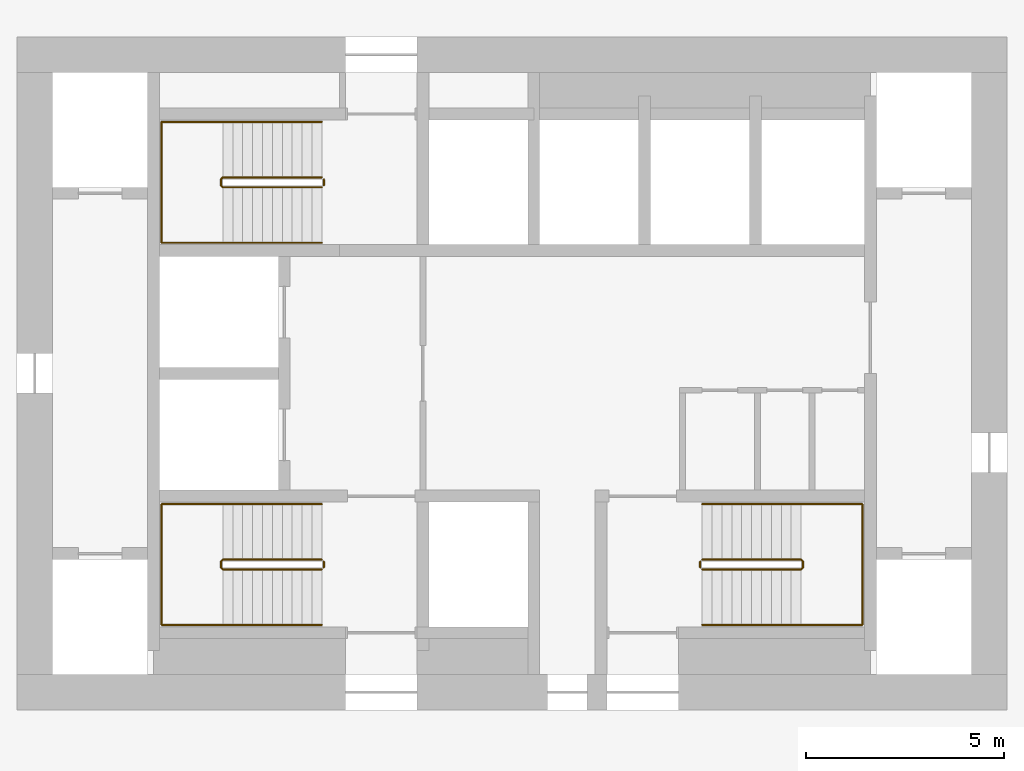
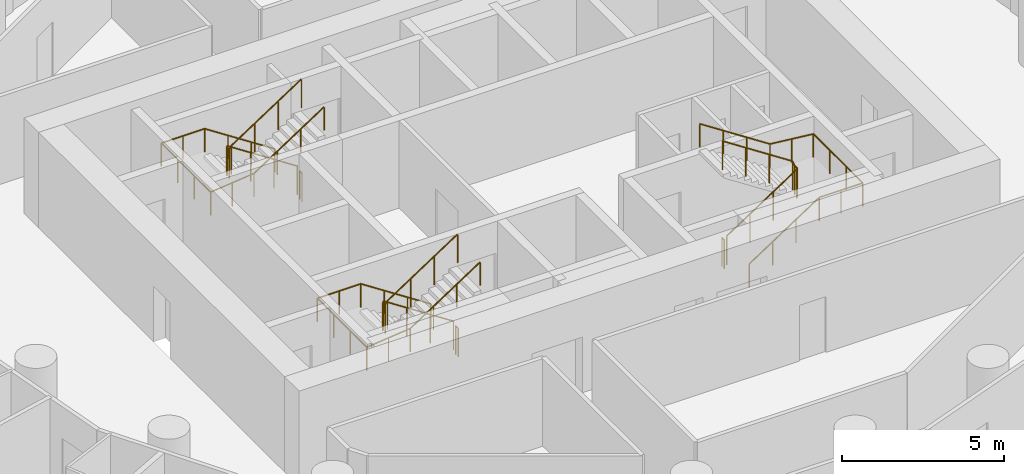
# One storey, part 9 of 9: 9 railings.
"""IFC4 building model written with IfcOpenShell, lengths in metres."""

from ifc_helpers import new_model, si_unit, direction, frame, origin, origin_2d, place, context, subcontext, project, spatial, circle, extrude, material, type_object, element, save


model = new_model("IFC4")

# Units and contexts
model_context = context("Model", 3, precision=1e-05, world=origin(), true_north=direction((0.0, 1.0)))
body_context = subcontext(model_context, "Body", "Model", "MODEL_VIEW")
ifc_project = project(units=[si_unit("LENGTHUNIT", "METRE"), si_unit("AREAUNIT", "SQUARE_METRE"), si_unit("VOLUMEUNIT", "CUBIC_METRE"), si_unit("PLANEANGLEUNIT", "RADIAN"), si_unit("MASSUNIT", "GRAM", prefix="KILO")], contexts=[model_context])

# Site, building, storey
site_placement = place(None, origin())
site = spatial("IfcSite", under=ifc_project, at=site_placement, CompositionType="ELEMENT")
building_placement = place(site_placement, origin())
building = spatial("IfcBuilding", under=site, at=building_placement, Name="Tracery Tower", CompositionType="ELEMENT")
storey_placement = place(building_placement, frame((0.0, 0.0, 190.800048828125)))
storey = spatial("IfcBuildingStorey", under=building, at=storey_placement, Name="L49", CompositionType="ELEMENT", Elevation=190.800048828125)

# Railings
ifc_material_1 = material(Name="Stainless steel and laminated glass", Category="steel")
railing_type_1 = type_object("IfcRailingType", Name="Stair guard 1100", PredefinedType="GUARDRAIL", material=ifc_material_1)
railing_1_placement = place(storey_placement, frame((-4.800048828125, -4.699951171875, 0.16357421875)))
element("IfcRailing", 1, at=railing_1_placement, inside=storey, type_object=railing_type_1, Name="L49 stair ST1 guard 1", PredefinedType="GUARDRAIL", context=body_context, shape_type="SweptSolid", body=[
    extrude(circle(Radius=0.02392578125, at=origin_2d()), frame((0.0, 0.0, 1.076171875), z_axis=(-0.83668449804, 0.0, 0.54768517484), x_axis=(0.0, -1.0, 0.0)), (0.0, 0.0, 1.0), 2.988037109375),
    extrude(circle(Radius=0.02392578125, at=origin_2d()), frame((-2.5, 0.0, 2.71240234375), z_axis=(-0.707106781187, -0.707106781187, 0.0), x_axis=(0.707106781187, -0.707106781187, 0.0)), (0.0, 0.0, 1.0), 0.07080078125),
    extrude(circle(Radius=0.02392578125, at=origin_2d()), frame((-2.550048828125, -0.050048828125, 2.71240234375), z_axis=(0.0, -1.0, 0.0), x_axis=(1.0, 0.0, 0.0)), (0.0, 0.0, 1.0), 0.14990234375),
    extrude(circle(Radius=0.02392578125, at=origin_2d()), frame((-2.550048828125, -0.199951171875, 2.71240234375), z_axis=(0.280808744504, -0.280808744504, 0.917765164963), x_axis=(0.707106781187, 0.707106781187, 0.0)), (0.0, 0.0, 1.0), 0.17822265625),
    extrude(circle(Radius=0.02392578125, at=origin_2d()), frame((-2.5, -0.25, 2.8759765625), z_axis=(0.836721939367, 0.0, 0.547627972425), x_axis=(0.0, 1.0, 0.0)), (0.0, 0.0, 1.0), 2.98779296875),
    extrude(circle(Radius=0.02099609375, at=origin_2d()), origin(), (0.0, 0.0, 1.0), 1.052001953125),
    extrude(circle(Radius=0.02099609375, at=origin_2d()), frame((-0.833251953125, 0.0, 0.54541015625)), (0.0, 0.0, 1.0), 1.052001953125),
    extrude(circle(Radius=0.02099609375, at=origin_2d()), frame((-1.666748046875, 0.0, 1.091064453125)), (0.0, 0.0, 1.0), 1.052001953125),
    extrude(circle(Radius=0.02099609375, at=origin_2d()), frame((-2.5, 0.0, 1.636474609375)), (0.0, 0.0, 1.0), 1.052001953125),
    extrude(circle(Radius=0.02099609375, at=origin_2d()), frame((-2.550048828125, -0.050048828125, 1.636474609375)), (0.0, 0.0, 1.0), 1.052001953125),
    extrude(circle(Radius=0.02099609375, at=origin_2d()), frame((-2.550048828125, -0.199951171875, 1.636474609375)), (0.0, 0.0, 1.0), 1.052001953125),
    extrude(circle(Radius=0.02099609375, at=origin_2d()), frame((-2.5, -0.25, 1.800048828125)), (0.0, 0.0, 1.0), 1.052001953125),
    extrude(circle(Radius=0.02099609375, at=origin_2d()), frame((-1.666748046875, -0.25, 2.345458984375)), (0.0, 0.0, 1.0), 1.052001953125),
    extrude(circle(Radius=0.02099609375, at=origin_2d()), frame((-0.833251953125, -0.25, 2.890869140625)), (0.0, 0.0, 1.0), 1.052001953125),
    extrude(circle(Radius=0.02099609375, at=origin_2d()), frame((0.0, -0.25, 3.436279296875)), (0.0, 0.0, 1.0), 1.052001953125),
])
railing_2_placement = place(storey_placement, frame((-4.75, -4.75, 0.0)))
element("IfcRailing", 2, at=railing_2_placement, inside=storey, type_object=railing_type_1, Name="L49 stair ST1 guard 2", PredefinedType="GUARDRAIL", context=body_context, shape_type="SweptSolid", body=[
    extrude(circle(Radius=0.02392578125, at=origin_2d()), frame((0.0, 0.0, 1.076171875), z_axis=(0.0, -1.0, 0.0), x_axis=(1.0, 0.0, 0.0)), (0.0, 0.0, 1.0), 0.14990234375),
    extrude(circle(Radius=0.02099609375, at=origin_2d()), origin(), (0.0, 0.0, 1.0), 1.052001953125),
    extrude(circle(Radius=0.02099609375, at=origin_2d()), frame((0.0, -0.14990234375, 0.0)), (0.0, 0.0, 1.0), 1.052001953125),
])
railing_3_placement = place(storey_placement, frame((-4.800048828125, 4.949951171875, 0.16357421875)))
element("IfcRailing", 3, at=railing_3_placement, inside=storey, type_object=railing_type_1, Name="L49 stair ST3 guard 1", PredefinedType="GUARDRAIL", context=body_context, shape_type="SweptSolid", body=[
    extrude(circle(Radius=0.02392578125, at=origin_2d()), frame((0.0, 0.0, 1.076171875), z_axis=(-0.83668449804, 0.0, 0.54768517484), x_axis=(0.0, -1.0, 0.0)), (0.0, 0.0, 1.0), 2.988037109375),
    extrude(circle(Radius=0.02392578125, at=origin_2d()), frame((-2.5, 0.0, 2.71240234375), z_axis=(-0.707106781187, -0.707106781187, 0.0), x_axis=(0.707106781187, -0.707106781187, 0.0)), (0.0, 0.0, 1.0), 0.07080078125),
    extrude(circle(Radius=0.02392578125, at=origin_2d()), frame((-2.550048828125, -0.050048828125, 2.71240234375), z_axis=(0.0, -1.0, 0.0), x_axis=(1.0, 0.0, 0.0)), (0.0, 0.0, 1.0), 0.14990234375),
    extrude(circle(Radius=0.02392578125, at=origin_2d()), frame((-2.550048828125, -0.199951171875, 2.71240234375), z_axis=(0.280808744504, -0.280808744504, 0.917765164963), x_axis=(0.707106781187, 0.707106781187, 0.0)), (0.0, 0.0, 1.0), 0.17822265625),
    extrude(circle(Radius=0.02392578125, at=origin_2d()), frame((-2.5, -0.25, 2.8759765625), z_axis=(0.836721939367, 0.0, 0.547627972425), x_axis=(0.0, 1.0, 0.0)), (0.0, 0.0, 1.0), 2.98779296875),
    extrude(circle(Radius=0.02099609375, at=origin_2d()), origin(), (0.0, 0.0, 1.0), 1.052001953125),
    extrude(circle(Radius=0.02099609375, at=origin_2d()), frame((-0.833251953125, 0.0, 0.54541015625)), (0.0, 0.0, 1.0), 1.052001953125),
    extrude(circle(Radius=0.02099609375, at=origin_2d()), frame((-1.666748046875, 0.0, 1.091064453125)), (0.0, 0.0, 1.0), 1.052001953125),
    extrude(circle(Radius=0.02099609375, at=origin_2d()), frame((-2.5, 0.0, 1.636474609375)), (0.0, 0.0, 1.0), 1.052001953125),
    extrude(circle(Radius=0.02099609375, at=origin_2d()), frame((-2.550048828125, -0.050048828125, 1.636474609375)), (0.0, 0.0, 1.0), 1.052001953125),
    extrude(circle(Radius=0.02099609375, at=origin_2d()), frame((-2.550048828125, -0.199951171875, 1.636474609375)), (0.0, 0.0, 1.0), 1.052001953125),
    extrude(circle(Radius=0.02099609375, at=origin_2d()), frame((-2.5, -0.25, 1.800048828125)), (0.0, 0.0, 1.0), 1.052001953125),
    extrude(circle(Radius=0.02099609375, at=origin_2d()), frame((-1.666748046875, -0.25, 2.345458984375)), (0.0, 0.0, 1.0), 1.052001953125),
    extrude(circle(Radius=0.02099609375, at=origin_2d()), frame((-0.833251953125, -0.25, 2.890869140625)), (0.0, 0.0, 1.0), 1.052001953125),
    extrude(circle(Radius=0.02099609375, at=origin_2d()), frame((0.0, -0.25, 3.436279296875)), (0.0, 0.0, 1.0), 1.052001953125),
])
railing_4_placement = place(storey_placement, frame((-4.75, 4.89990234375, 0.0)))
element("IfcRailing", 4, at=railing_4_placement, inside=storey, type_object=railing_type_1, Name="L49 stair ST3 guard 2", PredefinedType="GUARDRAIL", context=body_context, shape_type="SweptSolid", body=[
    extrude(circle(Radius=0.02392578125, at=origin_2d()), frame((0.0, 0.0, 1.076171875), z_axis=(0.0, -1.0, 0.0), x_axis=(1.0, 0.0, 0.0)), (0.0, 0.0, 1.0), 0.14990234375),
    extrude(circle(Radius=0.02099609375, at=origin_2d()), origin(), (0.0, 0.0, 1.0), 1.052001953125),
    extrude(circle(Radius=0.02099609375, at=origin_2d()), frame((0.0, -0.14990234375, 0.0)), (0.0, 0.0, 1.0), 1.052001953125),
])
railing_5_placement = place(storey_placement, frame((4.800048828125, -4.949951171875, 0.16357421875)))
element("IfcRailing", 5, at=railing_5_placement, inside=storey, type_object=railing_type_1, Name="L49 stair ST2 guard 1", PredefinedType="GUARDRAIL", context=body_context, shape_type="SweptSolid", body=[
    extrude(circle(Radius=0.02392578125, at=origin_2d()), frame((0.0, 0.0, 1.076171875), z_axis=(0.83668449804, 0.0, 0.54768517484), x_axis=(0.0, 1.0, 0.0)), (0.0, 0.0, 1.0), 2.988037109375),
    extrude(circle(Radius=0.02392578125, at=origin_2d()), frame((2.5, 0.0, 2.71240234375), z_axis=(0.707106781187, 0.707106781187, 0.0), x_axis=(-0.707106781187, 0.707106781187, 0.0)), (0.0, 0.0, 1.0), 0.07080078125),
    extrude(circle(Radius=0.02392578125, at=origin_2d()), frame((2.550048828125, 0.050048828125, 2.71240234375), z_axis=(0.0, 1.0, 0.0), x_axis=(-1.0, 0.0, 0.0)), (0.0, 0.0, 1.0), 0.14990234375),
    extrude(circle(Radius=0.02392578125, at=origin_2d()), frame((2.550048828125, 0.199951171875, 2.71240234375), z_axis=(-0.280808744504, 0.280808744504, 0.917765164963), x_axis=(-0.707106781187, -0.707106781187, 0.0)), (0.0, 0.0, 1.0), 0.17822265625),
    extrude(circle(Radius=0.02392578125, at=origin_2d()), frame((2.5, 0.25, 2.8759765625), z_axis=(-0.836721939367, 0.0, 0.547627972425), x_axis=(0.0, -1.0, 0.0)), (0.0, 0.0, 1.0), 2.98779296875),
    extrude(circle(Radius=0.02099609375, at=origin_2d()), origin(), (0.0, 0.0, 1.0), 1.052001953125),
    extrude(circle(Radius=0.02099609375, at=origin_2d()), frame((0.833251953125, 0.0, 0.54541015625)), (0.0, 0.0, 1.0), 1.052001953125),
    extrude(circle(Radius=0.02099609375, at=origin_2d()), frame((1.666748046875, 0.0, 1.091064453125)), (0.0, 0.0, 1.0), 1.052001953125),
    extrude(circle(Radius=0.02099609375, at=origin_2d()), frame((2.5, 0.0, 1.636474609375)), (0.0, 0.0, 1.0), 1.052001953125),
    extrude(circle(Radius=0.02099609375, at=origin_2d()), frame((2.550048828125, 0.050048828125, 1.636474609375)), (0.0, 0.0, 1.0), 1.052001953125),
    extrude(circle(Radius=0.02099609375, at=origin_2d()), frame((2.550048828125, 0.199951171875, 1.636474609375)), (0.0, 0.0, 1.0), 1.052001953125),
    extrude(circle(Radius=0.02099609375, at=origin_2d()), frame((2.5, 0.25, 1.800048828125)), (0.0, 0.0, 1.0), 1.052001953125),
    extrude(circle(Radius=0.02099609375, at=origin_2d()), frame((1.666748046875, 0.25, 2.345458984375)), (0.0, 0.0, 1.0), 1.052001953125),
    extrude(circle(Radius=0.02099609375, at=origin_2d()), frame((0.833251953125, 0.25, 2.890869140625)), (0.0, 0.0, 1.0), 1.052001953125),
    extrude(circle(Radius=0.02099609375, at=origin_2d()), frame((0.0, 0.25, 3.436279296875)), (0.0, 0.0, 1.0), 1.052001953125),
])
railing_6_placement = place(storey_placement, frame((4.75, -4.89990234375, 0.0)))
element("IfcRailing", 6, at=railing_6_placement, inside=storey, type_object=railing_type_1, Name="L49 stair ST2 guard 2", PredefinedType="GUARDRAIL", context=body_context, shape_type="SweptSolid", body=[
    extrude(circle(Radius=0.02392578125, at=origin_2d()), frame((0.0, 0.0, 1.076171875), z_axis=(0.0, 1.0, 0.0), x_axis=(-1.0, 0.0, 0.0)), (0.0, 0.0, 1.0), 0.14990234375),
    extrude(circle(Radius=0.02099609375, at=origin_2d()), origin(), (0.0, 0.0, 1.0), 1.052001953125),
    extrude(circle(Radius=0.02099609375, at=origin_2d()), frame((0.0, 0.14990234375, 0.0)), (0.0, 0.0, 1.0), 1.052001953125),
])
ifc_material_2 = material(Name="Stainless steel and laminated glass", Category="steel")
railing_type_2 = type_object("IfcRailingType", Name="Stair handrail 900", PredefinedType="HANDRAIL", material=ifc_material_2)
railing_7_placement = place(storey_placement, frame((-4.800048828125, -3.300048828125, 0.16357421875)))
element("IfcRailing", 7, at=railing_7_placement, inside=storey, type_object=railing_type_2, Name="L49 stair ST1 handrail 1", PredefinedType="HANDRAIL", context=body_context, shape_type="SweptSolid", body=[
    extrude(circle(Radius=0.02392578125, at=origin_2d()), frame((0.0, 0.0, 0.8759765625), z_axis=(-0.83668449804, 0.0, 0.54768517484), x_axis=(0.0, -1.0, 0.0)), (0.0, 0.0, 1.0), 2.988037109375),
    extrude(circle(Radius=0.02392578125, at=origin_2d()), frame((-2.5, 0.0, 2.51220703125), z_axis=(-1.0, 0.0, 0.0), x_axis=(0.0, -1.0, 0.0)), (0.0, 0.0, 1.0), 1.550048828125),
    extrude(circle(Radius=0.02392578125, at=origin_2d()), frame((-4.050048828125, 0.0, 2.51220703125), z_axis=(0.0, -1.0, 0.0), x_axis=(1.0, 0.0, 0.0)), (0.0, 0.0, 1.0), 3.050048828125),
    extrude(circle(Radius=0.02392578125, at=origin_2d()), frame((-4.050048828125, -3.050048828125, 2.51220703125), z_axis=(0.994477953863, 0.0, 0.104945696817), x_axis=(0.0, 1.0, 0.0)), (0.0, 0.0, 1.0), 1.55859375),
    extrude(circle(Radius=0.02392578125, at=origin_2d()), frame((-2.5, -3.050048828125, 2.67578125), z_axis=(0.836721939367, 0.0, 0.547627972425), x_axis=(0.0, 1.0, 0.0)), (0.0, 0.0, 1.0), 2.98779296875),
    extrude(circle(Radius=0.02099609375, at=origin_2d()), origin(), (0.0, 0.0, 1.0), 0.851806640625),
    extrude(circle(Radius=0.02099609375, at=origin_2d()), frame((-0.833251953125, 0.0, 0.54541015625)), (0.0, 0.0, 1.0), 0.851806640625),
    extrude(circle(Radius=0.02099609375, at=origin_2d()), frame((-1.666748046875, 0.0, 1.091064453125)), (0.0, 0.0, 1.0), 0.851806640625),
    extrude(circle(Radius=0.02099609375, at=origin_2d()), frame((-2.5, 0.0, 1.636474609375)), (0.0, 0.0, 1.0), 0.851806640625),
    extrude(circle(Radius=0.02099609375, at=origin_2d()), frame((-3.27490234375, 0.0, 1.636474609375)), (0.0, 0.0, 1.0), 0.851806640625),
    extrude(circle(Radius=0.02099609375, at=origin_2d()), frame((-4.050048828125, 0.0, 1.636474609375)), (0.0, 0.0, 1.0), 0.851806640625),
    extrude(circle(Radius=0.02099609375, at=origin_2d()), frame((-4.050048828125, -1.0166015625, 1.636474609375)), (0.0, 0.0, 1.0), 0.851806640625),
    extrude(circle(Radius=0.02099609375, at=origin_2d()), frame((-4.050048828125, -2.033447265625, 1.636474609375)), (0.0, 0.0, 1.0), 0.851806640625),
    extrude(circle(Radius=0.02099609375, at=origin_2d()), frame((-4.050048828125, -3.050048828125, 1.636474609375)), (0.0, 0.0, 1.0), 0.851806640625),
    extrude(circle(Radius=0.02099609375, at=origin_2d()), frame((-3.27490234375, -3.050048828125, 1.71826171875)), (0.0, 0.0, 1.0), 0.851806640625),
    extrude(circle(Radius=0.02099609375, at=origin_2d()), frame((-2.5, -3.050048828125, 1.800048828125)), (0.0, 0.0, 1.0), 0.851806640625),
    extrude(circle(Radius=0.02099609375, at=origin_2d()), frame((-1.666748046875, -3.050048828125, 2.345458984375)), (0.0, 0.0, 1.0), 0.851806640625),
    extrude(circle(Radius=0.02099609375, at=origin_2d()), frame((-0.833251953125, -3.050048828125, 2.890869140625)), (0.0, 0.0, 1.0), 0.851806640625),
    extrude(circle(Radius=0.02099609375, at=origin_2d()), frame((0.0, -3.050048828125, 3.436279296875)), (0.0, 0.0, 1.0), 0.851806640625),
])
railing_8_placement = place(storey_placement, frame((-4.800048828125, 6.35009765625, 0.16357421875)))
element("IfcRailing", 8, at=railing_8_placement, inside=storey, type_object=railing_type_2, Name="L49 stair ST3 handrail 1", PredefinedType="HANDRAIL", context=body_context, shape_type="SweptSolid", body=[
    extrude(circle(Radius=0.02392578125, at=origin_2d()), frame((0.0, 0.0, 0.8759765625), z_axis=(-0.83668449804, 0.0, 0.54768517484), x_axis=(0.0, -1.0, 0.0)), (0.0, 0.0, 1.0), 2.988037109375),
    extrude(circle(Radius=0.02392578125, at=origin_2d()), frame((-2.5, 0.0, 2.51220703125), z_axis=(-1.0, 0.0, 0.0), x_axis=(0.0, -1.0, 0.0)), (0.0, 0.0, 1.0), 1.550048828125),
    extrude(circle(Radius=0.02392578125, at=origin_2d()), frame((-4.050048828125, 0.0, 2.51220703125), z_axis=(0.0, -1.0, 0.0), x_axis=(1.0, 0.0, 0.0)), (0.0, 0.0, 1.0), 3.050048828125),
    extrude(circle(Radius=0.02392578125, at=origin_2d()), frame((-4.050048828125, -3.050048828125, 2.51220703125), z_axis=(0.994477953863, 0.0, 0.104945696817), x_axis=(0.0, 1.0, 0.0)), (0.0, 0.0, 1.0), 1.55859375),
    extrude(circle(Radius=0.02392578125, at=origin_2d()), frame((-2.5, -3.050048828125, 2.67578125), z_axis=(0.836721939367, 0.0, 0.547627972425), x_axis=(0.0, 1.0, 0.0)), (0.0, 0.0, 1.0), 2.98779296875),
    extrude(circle(Radius=0.02099609375, at=origin_2d()), origin(), (0.0, 0.0, 1.0), 0.851806640625),
    extrude(circle(Radius=0.02099609375, at=origin_2d()), frame((-0.833251953125, 0.0, 0.54541015625)), (0.0, 0.0, 1.0), 0.851806640625),
    extrude(circle(Radius=0.02099609375, at=origin_2d()), frame((-1.666748046875, 0.0, 1.091064453125)), (0.0, 0.0, 1.0), 0.851806640625),
    extrude(circle(Radius=0.02099609375, at=origin_2d()), frame((-2.5, 0.0, 1.636474609375)), (0.0, 0.0, 1.0), 0.851806640625),
    extrude(circle(Radius=0.02099609375, at=origin_2d()), frame((-3.27490234375, 0.0, 1.636474609375)), (0.0, 0.0, 1.0), 0.851806640625),
    extrude(circle(Radius=0.02099609375, at=origin_2d()), frame((-4.050048828125, 0.0, 1.636474609375)), (0.0, 0.0, 1.0), 0.851806640625),
    extrude(circle(Radius=0.02099609375, at=origin_2d()), frame((-4.050048828125, -1.0166015625, 1.636474609375)), (0.0, 0.0, 1.0), 0.851806640625),
    extrude(circle(Radius=0.02099609375, at=origin_2d()), frame((-4.050048828125, -2.033447265625, 1.636474609375)), (0.0, 0.0, 1.0), 0.851806640625),
    extrude(circle(Radius=0.02099609375, at=origin_2d()), frame((-4.050048828125, -3.050048828125, 1.636474609375)), (0.0, 0.0, 1.0), 0.851806640625),
    extrude(circle(Radius=0.02099609375, at=origin_2d()), frame((-3.27490234375, -3.050048828125, 1.71826171875)), (0.0, 0.0, 1.0), 0.851806640625),
    extrude(circle(Radius=0.02099609375, at=origin_2d()), frame((-2.5, -3.050048828125, 1.800048828125)), (0.0, 0.0, 1.0), 0.851806640625),
    extrude(circle(Radius=0.02099609375, at=origin_2d()), frame((-1.666748046875, -3.050048828125, 2.345458984375)), (0.0, 0.0, 1.0), 0.851806640625),
    extrude(circle(Radius=0.02099609375, at=origin_2d()), frame((-0.833251953125, -3.050048828125, 2.890869140625)), (0.0, 0.0, 1.0), 0.851806640625),
    extrude(circle(Radius=0.02099609375, at=origin_2d()), frame((0.0, -3.050048828125, 3.436279296875)), (0.0, 0.0, 1.0), 0.851806640625),
])
railing_9_placement = place(storey_placement, frame((4.800048828125, -6.35009765625, 0.16357421875)))
element("IfcRailing", 9, at=railing_9_placement, inside=storey, type_object=railing_type_2, Name="L49 stair ST2 handrail 1", PredefinedType="HANDRAIL", context=body_context, shape_type="SweptSolid", body=[
    extrude(circle(Radius=0.02392578125, at=origin_2d()), frame((0.0, 0.0, 0.8759765625), z_axis=(0.83668449804, 0.0, 0.54768517484), x_axis=(0.0, 1.0, 0.0)), (0.0, 0.0, 1.0), 2.988037109375),
    extrude(circle(Radius=0.02392578125, at=origin_2d()), frame((2.5, 0.0, 2.51220703125), z_axis=(1.0, 0.0, 0.0), x_axis=(0.0, 1.0, 0.0)), (0.0, 0.0, 1.0), 1.550048828125),
    extrude(circle(Radius=0.02392578125, at=origin_2d()), frame((4.050048828125, 0.0, 2.51220703125), z_axis=(0.0, 1.0, 0.0), x_axis=(-1.0, 0.0, 0.0)), (0.0, 0.0, 1.0), 3.050048828125),
    extrude(circle(Radius=0.02392578125, at=origin_2d()), frame((4.050048828125, 3.050048828125, 2.51220703125), z_axis=(-0.994477953863, 0.0, 0.104945696817), x_axis=(0.0, -1.0, 0.0)), (0.0, 0.0, 1.0), 1.55859375),
    extrude(circle(Radius=0.02392578125, at=origin_2d()), frame((2.5, 3.050048828125, 2.67578125), z_axis=(-0.836721939367, 0.0, 0.547627972425), x_axis=(0.0, -1.0, 0.0)), (0.0, 0.0, 1.0), 2.98779296875),
    extrude(circle(Radius=0.02099609375, at=origin_2d()), origin(), (0.0, 0.0, 1.0), 0.851806640625),
    extrude(circle(Radius=0.02099609375, at=origin_2d()), frame((0.833251953125, 0.0, 0.54541015625)), (0.0, 0.0, 1.0), 0.851806640625),
    extrude(circle(Radius=0.02099609375, at=origin_2d()), frame((1.666748046875, 0.0, 1.091064453125)), (0.0, 0.0, 1.0), 0.851806640625),
    extrude(circle(Radius=0.02099609375, at=origin_2d()), frame((2.5, 0.0, 1.636474609375)), (0.0, 0.0, 1.0), 0.851806640625),
    extrude(circle(Radius=0.02099609375, at=origin_2d()), frame((3.27490234375, 0.0, 1.636474609375)), (0.0, 0.0, 1.0), 0.851806640625),
    extrude(circle(Radius=0.02099609375, at=origin_2d()), frame((4.050048828125, 0.0, 1.636474609375)), (0.0, 0.0, 1.0), 0.851806640625),
    extrude(circle(Radius=0.02099609375, at=origin_2d()), frame((4.050048828125, 1.0166015625, 1.636474609375)), (0.0, 0.0, 1.0), 0.851806640625),
    extrude(circle(Radius=0.02099609375, at=origin_2d()), frame((4.050048828125, 2.033447265625, 1.636474609375)), (0.0, 0.0, 1.0), 0.851806640625),
    extrude(circle(Radius=0.02099609375, at=origin_2d()), frame((4.050048828125, 3.050048828125, 1.636474609375)), (0.0, 0.0, 1.0), 0.851806640625),
    extrude(circle(Radius=0.02099609375, at=origin_2d()), frame((3.27490234375, 3.050048828125, 1.71826171875)), (0.0, 0.0, 1.0), 0.851806640625),
    extrude(circle(Radius=0.02099609375, at=origin_2d()), frame((2.5, 3.050048828125, 1.800048828125)), (0.0, 0.0, 1.0), 0.851806640625),
    extrude(circle(Radius=0.02099609375, at=origin_2d()), frame((1.666748046875, 3.050048828125, 2.345458984375)), (0.0, 0.0, 1.0), 0.851806640625),
    extrude(circle(Radius=0.02099609375, at=origin_2d()), frame((0.833251953125, 3.050048828125, 2.890869140625)), (0.0, 0.0, 1.0), 0.851806640625),
    extrude(circle(Radius=0.02099609375, at=origin_2d()), frame((0.0, 3.050048828125, 3.436279296875)), (0.0, 0.0, 1.0), 0.851806640625),
])

save(model, "model.ifc")
